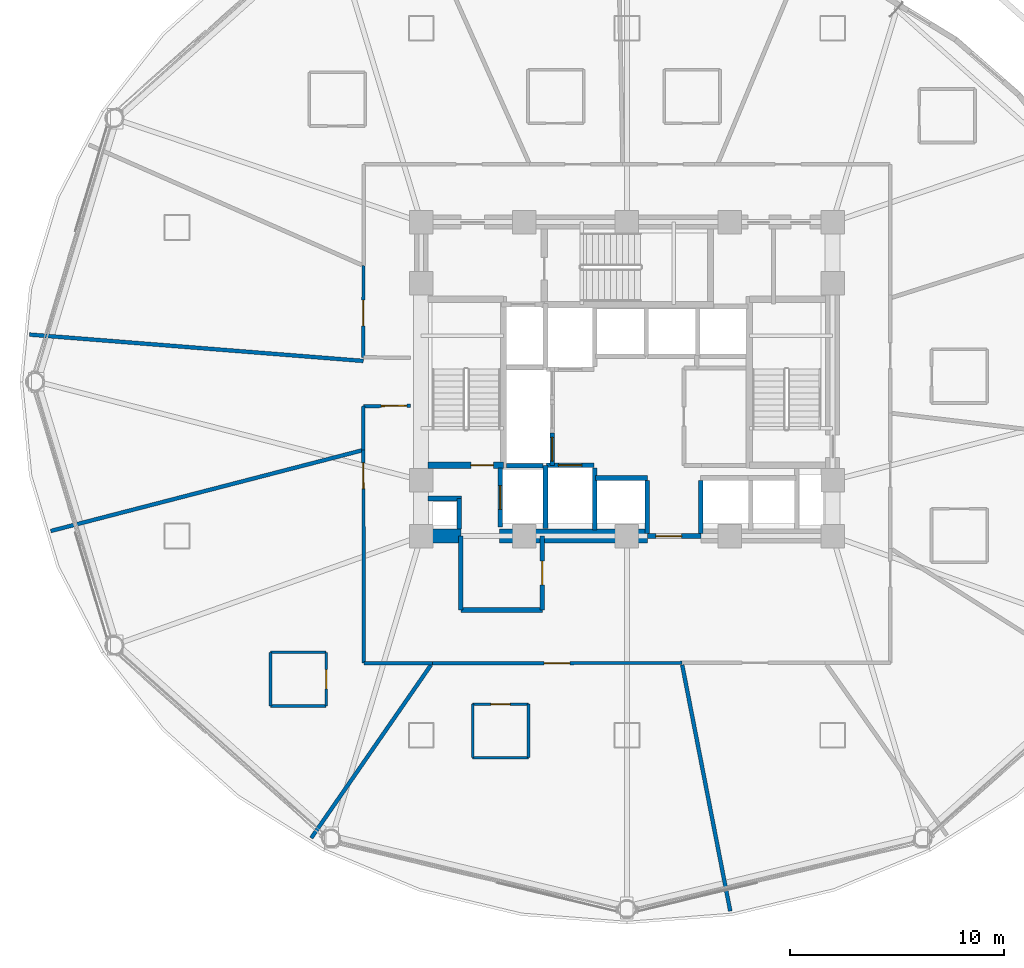
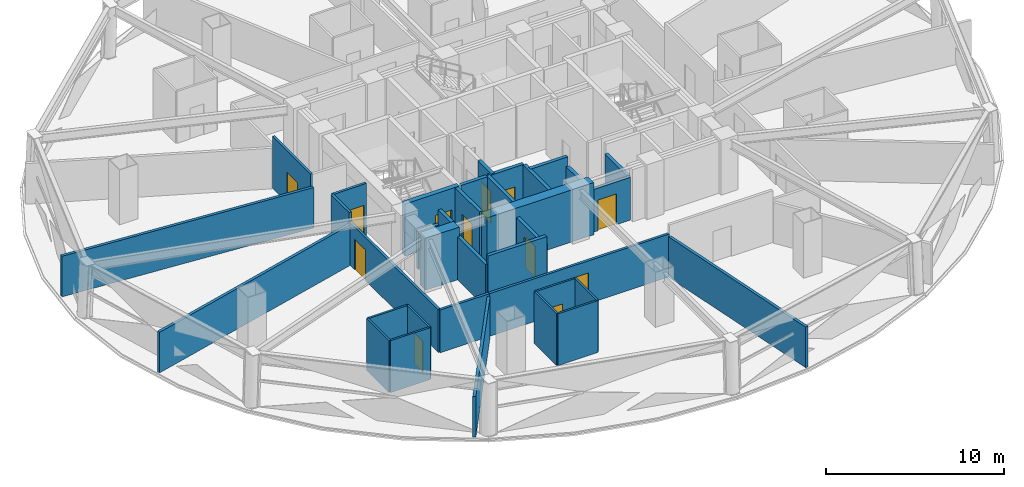
# One storey, part 8 of 16: 36 walls, 12 doors, 12 openings.
"""IFC4 building model written with IfcOpenShell, lengths in metres."""

from ifc_helpers import new_model, si_unit, direction, frame, frame_2d, origin, place, context, subcontext, project, spatial, rectangle, extrude, material, layer, layer_set, type_object, element, fill, save


model = new_model("IFC4")

# Units and contexts
model_context = context("Model", 3, precision=1e-05, world=origin(), true_north=direction((0.0, 1.0)))
body_context = subcontext(model_context, "Body", "Model", "MODEL_VIEW")
ifc_project = project(units=[si_unit("LENGTHUNIT", "METRE"), si_unit("AREAUNIT", "SQUARE_METRE"), si_unit("VOLUMEUNIT", "CUBIC_METRE"), si_unit("PLANEANGLEUNIT", "RADIAN"), si_unit("MASSUNIT", "GRAM", prefix="KILO")], contexts=[model_context])

# Site, building, storey
site_placement = place(None, origin())
site = spatial("IfcSite", under=ifc_project, at=site_placement, CompositionType="ELEMENT")
building_placement = place(site_placement, origin())
building = spatial("IfcBuilding", under=site, at=building_placement, Name="Vantalir Tower", CompositionType="ELEMENT")
storey_placement = place(building_placement, frame((0.0, 0.0, 75.75)))
storey = spatial("IfcBuildingStorey", under=building, at=storey_placement, Name="L18", CompositionType="ELEMENT", Elevation=75.75)

# Walls
ifc_material_1 = material(Name="Moisture-resistant en-suite partition", Category="gypsum")
ifc_layer_1 = layer(ifc_material_1, 0.125)
ifc_layer_set_1 = layer_set([ifc_layer_1], Name="Moisture-resistant en-suite partition")
wall_type_1 = type_object("IfcWallType", Name="WL-BATH-125", PredefinedType="PARTITIONING", material=ifc_layer_set_1)
for number, where, z_axis, x_axis, name in (
    (1, (14.865966796875, 9.87109375, 0.0), (0.0, 0.0, 1.0), (1.0, 0.0, 0.0), "L18 En-suite 07 South Wall"),
    (2, (14.865966796875, 12.37109375, 0.0), (0.0, 0.0, 1.0), (1.0, 0.0, 0.0), "L18 En-suite 07 North Wall"),
):
    element("IfcWall", number, at=place(storey_placement, frame(where, z_axis=z_axis, x_axis=x_axis)), inside=storey, type_object=wall_type_1, Name=name, PredefinedType="PARTITIONING", context=body_context, shape_type="SweptSolid", body=[
        extrude(rectangle(XDim=2.60009765625, YDim=0.125, at=frame_2d((1.300048828125, 0.0))), origin(), (0.0, 0.0, 1.0), 3.550048828125),
    ])
wall_1_placement = place(storey_placement, frame((14.865966796875, 9.87109375, 0.0), z_axis=(0.0, 0.0, 1.0), x_axis=(0.0, 1.0, 0.0)))
element("IfcWall", 3, at=wall_1_placement, inside=storey, type_object=wall_type_1, Name="L18 En-suite 07 West Wall", PredefinedType="PARTITIONING", context=body_context, shape_type="SweptSolid", body=[
    extrude(rectangle(XDim=2.5, YDim=0.125, at=frame_2d((1.25, 0.0))), origin(), (0.0, 0.0, 1.0), 3.550048828125),
])

# Wall, opening, door
wall_2_placement = place(storey_placement, frame((17.466064453125, 9.87109375, 0.0), z_axis=(0.0, 0.0, 1.0), x_axis=(0.0, 1.0, 0.0)))
wall_2 = element("IfcWall", 4, at=wall_2_placement, inside=storey, type_object=wall_type_1, Name="L18 En-suite 07 East Wall", PredefinedType="PARTITIONING", context=body_context, shape_type="SweptSolid", body=[
    extrude(rectangle(XDim=2.5, YDim=0.125, at=frame_2d((1.25, 0.0))), origin(), (0.0, 0.0, 1.0), 3.550048828125),
])
opening_1_placement = place(wall_2_placement, frame((0.800048828125, 0.0, 0.0)))
opening_1 = element("IfcOpeningElement", 5, at=opening_1_placement, cuts=wall_2, Name="Opening D-WC", PredefinedType="OPENING", context=body_context, shape_type="SweptSolid", body=[
    extrude(rectangle(XDim=0.89990234375, YDim=2.10009765625, at=frame_2d((0.449951171875, 1.050048828125))), frame((0.0, 0.072509765625, 0.0), z_axis=(0.0, -1.0, 0.0), x_axis=(1.0, 0.0, 0.0)), (0.0, 0.0, 1.0), 0.14501953125),
])
ifc_material_2 = material(Name="Moisture-resistant hardwood door", Category="wood")
door_type_1 = type_object("IfcDoorType", Name="DR-ENSUITE-900", OperationType="NOTDEFINED", PredefinedType="DOOR", material=ifc_material_2)
door_1_placement = place(opening_1_placement, origin())
door_1 = element("IfcDoor", 6, at=door_1_placement, inside=storey, type_object=door_type_1, Name="L18 En-suite 07 Door", OperationType="SINGLE_SWING_RIGHT", OverallHeight=2.10009765625, OverallWidth=0.89990234375, PredefinedType="DOOR", context=body_context, shape_type="SweptSolid", body=[
    extrude(rectangle(XDim=0.89990234375, YDim=2.10009765625, at=frame_2d((0.449951171875, 1.050048828125))), frame((0.0, 0.02490234375, 0.0), z_axis=(0.0, -1.0, 0.0), x_axis=(1.0, 0.0, 0.0)), (0.0, 0.0, 1.0), 0.050048828125),
])
fill(opening_1, door_1)

# Wall
wall_3_placement = place(storey_placement, frame((24.302978515625, 7.45703125, 0.0), z_axis=(0.0, 0.0, 1.0), x_axis=(1.0, 0.0, 0.0)))
element("IfcWall", 7, at=wall_3_placement, inside=storey, type_object=wall_type_1, Name="L18 En-suite 08 South Wall", PredefinedType="PARTITIONING", context=body_context, shape_type="SweptSolid", body=[
    extrude(rectangle(XDim=2.60009765625, YDim=0.125, at=frame_2d((1.300048828125, 0.0))), origin(), (0.0, 0.0, 1.0), 3.550048828125),
])

# Wall, opening, door
wall_4_placement = place(storey_placement, frame((24.302978515625, 9.95703125, 0.0), z_axis=(0.0, 0.0, 1.0), x_axis=(1.0, 0.0, 0.0)))
wall_4 = element("IfcWall", 8, at=wall_4_placement, inside=storey, type_object=wall_type_1, Name="L18 En-suite 08 North Wall", PredefinedType="PARTITIONING", context=body_context, shape_type="SweptSolid", body=[
    extrude(rectangle(XDim=2.60009765625, YDim=0.125, at=frame_2d((1.300048828125, 0.0))), origin(), (0.0, 0.0, 1.0), 3.550048828125),
])
opening_2_placement = place(wall_4_placement, frame((0.85009765625, 0.0, 0.0)))
opening_2 = element("IfcOpeningElement", 9, at=opening_2_placement, cuts=wall_4, Name="Opening D-WC", PredefinedType="OPENING", context=body_context, shape_type="SweptSolid", body=[
    extrude(rectangle(XDim=0.89990234375, YDim=2.10009765625, at=frame_2d((0.449951171875, 1.050048828125))), frame((0.0, 0.072509765625, 0.0), z_axis=(0.0, -1.0, 0.0), x_axis=(1.0, 0.0, 0.0)), (0.0, 0.0, 1.0), 0.14501953125),
])
door_2_placement = place(opening_2_placement, frame((0.89990234375, 0.0, 0.0), z_axis=(0.0, 0.0, 1.0), x_axis=(-1.0, 0.0, 0.0)))
door_2 = element("IfcDoor", 10, at=door_2_placement, inside=storey, type_object=door_type_1, Name="L18 En-suite 08 Door", OperationType="SINGLE_SWING_LEFT", OverallHeight=2.10009765625, OverallWidth=0.89990234375, PredefinedType="DOOR", context=body_context, shape_type="SweptSolid", body=[
    extrude(rectangle(XDim=0.89990234375, YDim=2.10009765625, at=frame_2d((0.449951171875, 1.050048828125))), frame((0.0, 0.02490234375, 0.0), z_axis=(0.0, -1.0, 0.0), x_axis=(1.0, 0.0, 0.0)), (0.0, 0.0, 1.0), 0.050048828125),
])
fill(opening_2, door_2)

# Walls
for number, where, z_axis, x_axis, name in (
    (11, (24.302978515625, 7.45703125, 0.0), (0.0, 0.0, 1.0), (0.0, 1.0, 0.0), "L18 En-suite 08 West Wall"),
    (12, (26.903076171875, 7.45703125, 0.0), (0.0, 0.0, 1.0), (0.0, 1.0, 0.0), "L18 En-suite 08 East Wall"),
):
    element("IfcWall", number, at=place(storey_placement, frame(where, z_axis=z_axis, x_axis=x_axis)), inside=storey, type_object=wall_type_1, Name=name, PredefinedType="PARTITIONING", context=body_context, shape_type="SweptSolid", body=[
        extrude(rectangle(XDim=2.5, YDim=0.125, at=frame_2d((1.25, 0.0))), origin(), (0.0, 0.0, 1.0), 3.550048828125),
    ])
ifc_material_3 = material(Name="Concrete C60/75", Category="concrete")
ifc_layer_2 = layer(ifc_material_3, 0.64990234375)
ifc_layer_set_2 = layer_set([ifc_layer_2], Name="Concrete C60/75")
wall_type_2 = type_object("IfcWallType", Name="WL-CORE-650", PredefinedType="SHEAR", material=ifc_layer_set_2)
wall_5_placement = place(storey_placement, frame((21.574951171875, 17.800048828125, 0.0), z_axis=(0.0, 0.0, 1.0), x_axis=(1.0, 0.0, 0.0)))
element("IfcWall", 13, at=wall_5_placement, inside=storey, type_object=wall_type_2, Name="L18 Core Shear Wall South-West", PredefinedType="SHEAR", context=body_context, shape_type="SweptSolid", body=[
    extrude(rectangle(XDim=2.175048828125, YDim=0.64990234375, at=frame_2d((1.08740234375, 0.0))), origin(), (0.0, 0.0, 1.0), 3.570068359375),
])
wall_6_placement = place(storey_placement, frame((25.550048828125, 17.800048828125, 0.0), z_axis=(0.0, 0.0, 1.0), x_axis=(1.0, 0.0, 0.0)))
element("IfcWall", 14, at=wall_6_placement, inside=storey, type_object=wall_type_2, Name="L18 Core Shear Wall South-Mid", PredefinedType="SHEAR", context=body_context, shape_type="SweptSolid", body=[
    extrude(rectangle(XDim=6.89990234375, YDim=0.64990234375, at=frame_2d((3.449951171875, 0.0))), origin(), (0.0, 0.0, 1.0), 3.570068359375),
])

# Wall, opening, door
ifc_material_4 = material(Name="Fire-rated hotel corridor acoustic partition", Category="gypsum")
ifc_layer_3 = layer(ifc_material_4, 0.159912109375)
ifc_layer_set_3 = layer_set([ifc_layer_3], Name="Fire-rated hotel corridor acoustic partition")
wall_type_3 = type_object("IfcWallType", Name="WL-CORR-160", PredefinedType="PARTITIONING", material=ifc_layer_set_3)
wall_7_placement = place(storey_placement, frame((19.197998046875, 26.14208984375, 0.0), z_axis=(0.0, 0.0, 1.0), x_axis=(0.002342582991, 0.999997256149, 0.0)))
wall_7 = element("IfcWall", 15, at=wall_7_placement, inside=storey, type_object=wall_type_3, Name="L18 Corridor Partition 02", PredefinedType="PARTITIONING", context=body_context, shape_type="SweptSolid", body=[
    extrude(rectangle(XDim=4.27294921875, YDim=0.159912109375, at=frame_2d((2.136474609375, 0.0))), origin(), (0.0, 0.0, 1.0), 3.550048828125),
])
opening_3_placement = place(wall_7_placement, frame((1.464111328125, 0.0, 0.0)))
opening_3 = element("IfcOpeningElement", 16, at=opening_3_placement, cuts=wall_7, Name="Opening D-STE", PredefinedType="OPENING", context=body_context, shape_type="SweptSolid", body=[
    extrude(rectangle(XDim=1.199951171875, YDim=2.10009765625, at=frame_2d((0.60009765625, 1.050048828125))), frame((0.0, 0.08984375, 0.0), z_axis=(0.0, -1.0, 0.0), x_axis=(1.0, 0.0, 0.0)), (0.0, 0.0, 1.0), 0.179931640625),
])
ifc_material_5 = material(Name="Solid-core teak veneer suite entrance door", Category="wood")
door_type_2 = type_object("IfcDoorType", Name="DR-SUITE-ENTRY-1200", OperationType="NOTDEFINED", PredefinedType="DOOR", material=ifc_material_5)
door_3_placement = place(opening_3_placement, origin())
door_3 = element("IfcDoor", 17, at=door_3_placement, inside=storey, type_object=door_type_2, Name="L18 Executive Sky Boardroom 05 Door", OperationType="SINGLE_SWING_LEFT", OverallHeight=2.10009765625, OverallWidth=1.199951171875, PredefinedType="DOOR", context=body_context, shape_type="SweptSolid", body=[
    extrude(rectangle(XDim=1.199951171875, YDim=2.10009765625, at=frame_2d((0.60009765625, 1.050048828125))), frame((0.0, 0.02490234375, 0.0), z_axis=(0.0, -1.0, 0.0), x_axis=(1.0, 0.0, 0.0)), (0.0, 0.0, 1.0), 0.050048828125),
])
fill(opening_3, door_3)

wall_8_placement = place(storey_placement, frame((34.06201171875, 11.876953125, 0.0), z_axis=(0.0, 0.0, 1.0), x_axis=(-0.99999976071, -0.000691794728, 0.0)))
wall_8 = element("IfcWall", 18, at=wall_8_placement, inside=storey, type_object=wall_type_3, Name="L18 Corridor Partition 14", PredefinedType="PARTITIONING", context=body_context, shape_type="SweptSolid", body=[
    extrude(rectangle(XDim=11.64599609375, YDim=0.159912109375, at=frame_2d((5.822998046875, 0.0))), origin(), (0.0, 0.0, 1.0), 2.927978515625),
])
opening_4_placement = place(wall_8_placement, frame((5.222900390625, 0.0, 0.0)))
opening_4 = element("IfcOpeningElement", 19, at=opening_4_placement, cuts=wall_8, Name="Opening D-STE", PredefinedType="OPENING", context=body_context, shape_type="SweptSolid", body=[
    extrude(rectangle(XDim=1.199951171875, YDim=2.10009765625, at=frame_2d((0.60009765625, 1.050048828125))), frame((0.0, 0.08984375, 0.0), z_axis=(0.0, -1.0, 0.0), x_axis=(1.0, 0.0, 0.0)), (0.0, 0.0, 1.0), 0.179931640625),
])
door_4_placement = place(opening_4_placement, origin())
door_4 = element("IfcDoor", 20, at=door_4_placement, inside=storey, type_object=door_type_2, Name="L18 Corner Panorama Hotel Suite 08 Door", OperationType="SINGLE_SWING_RIGHT", OverallHeight=2.10009765625, OverallWidth=1.199951171875, PredefinedType="DOOR", context=body_context, shape_type="SweptSolid", body=[
    extrude(rectangle(XDim=1.199951171875, YDim=2.10009765625, at=frame_2d((0.60009765625, 1.050048828125))), frame((0.0, 0.02490234375, 0.0), z_axis=(0.0, -1.0, 0.0), x_axis=(1.0, 0.0, 0.0)), (0.0, 0.0, 1.0), 0.050048828125),
])
fill(opening_4, door_4)

# Wall
wall_9_placement = place(storey_placement, frame((22.416015625, 11.868896484375, 0.0), z_axis=(0.0, 0.0, 1.0), x_axis=(-0.999999813388, -0.000610920085, 0.0)))
element("IfcWall", 21, at=wall_9_placement, inside=storey, type_object=wall_type_3, Name="L18 Corridor Partition 15", PredefinedType="PARTITIONING", context=body_context, shape_type="SweptSolid", body=[
    extrude(rectangle(XDim=3.197021484375, YDim=0.159912109375, at=frame_2d((1.5986328125, 0.0))), origin(), (0.0, 0.0, 1.0), 2.927978515625),
])

# Wall, opening, door
wall_10_placement = place(storey_placement, frame((19.218994140625, 11.866943359375, 0.0), z_axis=(0.0, 0.0, 1.0), x_axis=(-0.001717915349, 0.999998524382, 0.0)))
wall_10 = element("IfcWall", 22, at=wall_10_placement, inside=storey, type_object=wall_type_3, Name="L18 Corridor Partition 16", PredefinedType="PARTITIONING", context=body_context, shape_type="SweptSolid", body=[
    extrude(rectangle(XDim=9.947998046875, YDim=0.159912109375, at=frame_2d((4.97412109375, 0.0))), origin(), (0.0, 0.0, 1.0), 2.927978515625),
])
opening_5_placement = place(wall_10_placement, frame((8.14404296875, 0.0, 0.0)))
opening_5 = element("IfcOpeningElement", 23, at=opening_5_placement, cuts=wall_10, Name="Opening D-STE", PredefinedType="OPENING", context=body_context, shape_type="SweptSolid", body=[
    extrude(rectangle(XDim=1.199951171875, YDim=2.10009765625, at=frame_2d((0.60009765625, 1.050048828125))), frame((0.0, 0.08984375, 0.0), z_axis=(0.0, -1.0, 0.0), x_axis=(1.0, 0.0, 0.0)), (0.0, 0.0, 1.0), 0.179931640625),
])
door_5_placement = place(opening_5_placement, origin())
door_5 = element("IfcDoor", 24, at=door_5_placement, inside=storey, type_object=door_type_2, Name="L18 Executive Club Hotel Suite 07 Door", OperationType="SINGLE_SWING_LEFT", OverallHeight=2.10009765625, OverallWidth=1.199951171875, PredefinedType="DOOR", context=body_context, shape_type="SweptSolid", body=[
    extrude(rectangle(XDim=1.199951171875, YDim=2.10009765625, at=frame_2d((0.60009765625, 1.050048828125))), frame((0.0, 0.02490234375, 0.0), z_axis=(0.0, -1.0, 0.0), x_axis=(1.0, 0.0, 0.0)), (0.0, 0.0, 1.0), 0.050048828125),
])
fill(opening_5, door_5)

# Wall
wall_11_placement = place(storey_placement, frame((19.201904296875, 21.81494140625, 0.0), z_axis=(0.0, 0.0, 1.0), x_axis=(-0.001912042394, 0.999998172045, 0.0)))
element("IfcWall", 25, at=wall_11_placement, inside=storey, type_object=wall_type_3, Name="L18 Corridor Partition 17", PredefinedType="PARTITIONING", context=body_context, shape_type="SweptSolid", body=[
    extrude(rectangle(XDim=2.04296875, YDim=0.159912109375, at=frame_2d((1.021484375, 0.0))), origin(), (0.0, 0.0, 1.0), 3.550048828125),
])

# Wall, opening, door
wall_12_placement = place(storey_placement, frame((19.197998046875, 23.85791015625, 0.0), z_axis=(0.0, 0.0, 1.0), x_axis=(0.999912578456, 0.013222535486, 0.0)))
wall_12 = element("IfcWall", 26, at=wall_12_placement, inside=storey, type_object=wall_type_3, Name="L18 Corridor Partition 18", PredefinedType="PARTITIONING", context=body_context, shape_type="SweptSolid", body=[
    extrude(rectangle(XDim=2.197265625, YDim=0.159912109375, at=frame_2d((1.0986328125, 0.0))), origin(), (0.0, 0.0, 1.0), 3.550048828125),
])
opening_6_placement = place(wall_12_placement, frame((0.8369140625, 0.0, 0.0)))
opening_6 = element("IfcOpeningElement", 27, at=opening_6_placement, cuts=wall_12, Name="Opening D-STE", PredefinedType="OPENING", context=body_context, shape_type="SweptSolid", body=[
    extrude(rectangle(XDim=1.199951171875, YDim=2.10009765625, at=frame_2d((0.60009765625, 1.050048828125))), frame((0.0, 0.08984375, 0.0), z_axis=(0.0, -1.0, 0.0), x_axis=(1.0, 0.0, 0.0)), (0.0, 0.0, 1.0), 0.179931640625),
])
door_6_placement = place(opening_6_placement, origin())
door_6 = element("IfcDoor", 28, at=door_6_placement, inside=storey, type_object=door_type_2, Name="L18 Executive Sky Boardroom 06 Door", OperationType="SINGLE_SWING_RIGHT", OverallHeight=2.10009765625, OverallWidth=1.199951171875, PredefinedType="DOOR", context=body_context, shape_type="SweptSolid", body=[
    extrude(rectangle(XDim=1.199951171875, YDim=2.10009765625, at=frame_2d((0.60009765625, 1.050048828125))), frame((0.0, 0.02490234375, 0.0), z_axis=(0.0, -1.0, 0.0), x_axis=(1.0, 0.0, 0.0)), (0.0, 0.0, 1.0), 0.050048828125),
])
fill(opening_6, door_6)

# Walls
ifc_material_6 = material(Name="Concrete blockwork with fireboard lining", Category="masonry")
ifc_layer_4 = layer(ifc_material_6, 0.219970703125)
ifc_layer_set_4 = layer_set([ifc_layer_4], Name="Concrete blockwork with fireboard lining")
wall_type_4 = type_object("IfcWallType", Name="WL-FFL-220", PredefinedType="PARTITIONING", material=ifc_layer_set_4)
wall_13_placement = place(storey_placement, frame((30.0, 18.080078125, 0.0), z_axis=(0.0, 0.0, 1.0), x_axis=(0.0, 1.0, 0.0)))
element("IfcWall", 29, at=wall_13_placement, inside=storey, type_object=wall_type_4, Name="L18 Service Lift SV1 East Shaft Wall", PredefinedType="PARTITIONING", context=body_context, shape_type="SweptSolid", body=[
    extrude(rectangle(XDim=2.89990234375, YDim=0.219970703125, at=frame_2d((1.449951171875, 0.0))), origin(), (0.0, 0.0, 1.0), 3.544921875),
])
for number, where, z_axis, x_axis, name in (
    (30, (32.449951171875, 17.919921875, 0.0), (0.0, 0.0, 1.0), (0.0, 1.0, 0.0), "L18 Shuttle Lift PL-X1 East Shaft Cheek"),
    (31, (34.949951171875, 17.919921875, 0.0), (0.0, 0.0, 1.0), (0.0, 1.0, 0.0), "L18 Shuttle Lift PL-X3 West Shaft Cheek"),
):
    element("IfcWall", number, at=place(storey_placement, frame(where, z_axis=z_axis, x_axis=x_axis)), inside=storey, type_object=wall_type_4, Name=name, PredefinedType="PARTITIONING", context=body_context, shape_type="SweptSolid", body=[
        extrude(rectangle(XDim=2.469970703125, YDim=0.219970703125, at=frame_2d((1.23486328125, 0.0))), origin(), (0.0, 0.0, 1.0), 2.927978515625),
    ])

# Wall, opening, door
wall_14_placement = place(storey_placement, frame((32.449951171875, 17.800048828125, 0.0), z_axis=(0.0, 0.0, 1.0), x_axis=(1.0, 0.0, 0.0)))
wall_14 = element("IfcWall", 32, at=wall_14_placement, inside=storey, type_object=wall_type_4, Name="L18 Passenger Lift Lobby South Wall", PredefinedType="PARTITIONING", context=body_context, shape_type="SweptSolid", body=[
    extrude(rectangle(XDim=2.5, YDim=0.219970703125, at=frame_2d((1.25, 0.0))), origin(), (0.0, 0.0, 1.0), 2.927978515625),
])
opening_7_placement = place(wall_14_placement, frame((0.39990234375, 0.0, 0.0)))
opening_7 = element("IfcOpeningElement", 33, at=opening_7_placement, cuts=wall_14, Name="Opening D-STE", PredefinedType="OPENING", context=body_context, shape_type="SweptSolid", body=[
    extrude(rectangle(XDim=1.199951171875, YDim=2.10009765625, at=frame_2d((0.60009765625, 1.050048828125))), frame((0.0, 0.119873046875, 0.0), z_axis=(0.0, -1.0, 0.0), x_axis=(1.0, 0.0, 0.0)), (0.0, 0.0, 1.0), 0.239990234375),
])
door_7_placement = place(opening_7_placement, origin())
door_7 = element("IfcDoor", 34, at=door_7_placement, inside=storey, type_object=door_type_2, Name="L18 Passenger Lift Lobby Concourse Door", OperationType="SINGLE_SWING_LEFT", OverallHeight=2.10009765625, OverallWidth=1.199951171875, PredefinedType="DOOR", context=body_context, shape_type="SweptSolid", body=[
    extrude(rectangle(XDim=1.199951171875, YDim=2.10009765625, at=frame_2d((0.60009765625, 1.050048828125))), frame((0.0, 0.02490234375, 0.0), z_axis=(0.0, -1.0, 0.0), x_axis=(1.0, 0.0, 0.0)), (0.0, 0.0, 1.0), 0.050048828125),
])
fill(opening_7, door_7)

# Walls
wall_15_placement = place(storey_placement, frame((23.679931640625, 18.125, 0.0), z_axis=(0.0, 0.0, 1.0), x_axis=(0.0, 1.0, 0.0)))
element("IfcWall", 35, at=wall_15_placement, inside=storey, type_object=wall_type_4, Name="L18 West MEP Riser Wall E", PredefinedType="PARTITIONING", context=body_context, shape_type="SweptSolid", body=[
    extrude(rectangle(XDim=1.425048828125, YDim=0.219970703125, at=frame_2d((0.71240234375, 0.0))), origin(), (0.0, 0.0, 1.0), 3.550048828125),
])
wall_16_placement = place(storey_placement, frame((22.22509765625, 19.550048828125, 0.0), z_axis=(0.0, 0.0, 1.0), x_axis=(1.0, 0.0, 0.0)))
element("IfcWall", 36, at=wall_16_placement, inside=storey, type_object=wall_type_4, Name="L18 West MEP Riser Wall N", PredefinedType="PARTITIONING", context=body_context, shape_type="SweptSolid", body=[
    extrude(rectangle(XDim=1.56494140625, YDim=0.219970703125, at=frame_2d((0.782470703125, 0.0))), origin(), (0.0, 0.0, 1.0), 2.594970703125),
])

# Wall, opening, door
wall_17_placement = place(storey_placement, frame((25.590087890625, 18.219970703125, 0.0), z_axis=(0.0, 0.0, 1.0), x_axis=(0.0, 1.0, 0.0)))
wall_17 = element("IfcWall", 37, at=wall_17_placement, inside=storey, type_object=wall_type_4, Name="L18 Lift FL1 Shaft Front Wall", PredefinedType="PARTITIONING", context=body_context, shape_type="SweptSolid", body=[
    extrude(rectangle(XDim=2.760009765625, YDim=0.219970703125, at=frame_2d((1.3798828125, 0.0))), origin(), (0.0, 0.0, 1.0), 3.550048828125),
])
opening_8_placement = place(wall_17_placement, frame((0.830078125, 0.0, 0.0)))
opening_8 = element("IfcOpeningElement", 38, at=opening_8_placement, cuts=wall_17, Name="Opening LD-FL1", PredefinedType="OPENING", context=body_context, shape_type="SweptSolid", body=[
    extrude(rectangle(XDim=1.10009765625, YDim=2.199951171875, at=frame_2d((0.550048828125, 1.10009765625))), frame((0.0, 0.119873046875, 0.0), z_axis=(0.0, -1.0, 0.0), x_axis=(1.0, 0.0, 0.0)), (0.0, 0.0, 1.0), 0.239990234375),
])
ifc_material_7 = material(Name="Brushed stainless-steel sliding lift landing door", Category="steel")
door_type_3 = type_object("IfcDoorType", Name="DR-LIFT-LANDING-1100", OperationType="DOUBLE_DOOR_SLIDING", PredefinedType="DOOR", material=ifc_material_7)
door_8_placement = place(opening_8_placement, origin())
door_8 = element("IfcDoor", 39, at=door_8_placement, inside=storey, type_object=door_type_3, Name="L18 Lift Landing Door FL1", OperationType="DOUBLE_DOOR_SLIDING", OverallHeight=2.199951171875, OverallWidth=1.10009765625, PredefinedType="DOOR", context=body_context, shape_type="SweptSolid", body=[
    extrude(rectangle(XDim=1.10009765625, YDim=2.199951171875, at=frame_2d((0.550048828125, 1.10009765625))), frame((0.0, 0.02490234375, 0.0), z_axis=(0.0, -1.0, 0.0), x_axis=(1.0, 0.0, 0.0)), (0.0, 0.0, 1.0), 0.050048828125),
])
fill(opening_8, door_8)

wall_18_placement = place(storey_placement, frame((27.739990234375, 21.110107421875, 0.0), z_axis=(0.0, 0.0, 1.0), x_axis=(1.0, 0.0, 0.0)))
wall_18 = element("IfcWall", 40, at=wall_18_placement, inside=storey, type_object=wall_type_4, Name="L18 Lift SV1 Shaft Front Wall", PredefinedType="PARTITIONING", context=body_context, shape_type="SweptSolid", body=[
    extrude(rectangle(XDim=2.219970703125, YDim=0.219970703125, at=frame_2d((1.10986328125, 0.0))), origin(), (0.0, 0.0, 1.0), 3.550048828125),
])
opening_9_placement = place(wall_18_placement, frame((0.56005859375, 0.0, 0.0)))
opening_9 = element("IfcOpeningElement", 41, at=opening_9_placement, cuts=wall_18, Name="Opening LD-SV1", PredefinedType="OPENING", context=body_context, shape_type="SweptSolid", body=[
    extrude(rectangle(XDim=1.10009765625, YDim=2.199951171875, at=frame_2d((0.550048828125, 1.10009765625))), frame((0.0, 0.119873046875, 0.0), z_axis=(0.0, -1.0, 0.0), x_axis=(1.0, 0.0, 0.0)), (0.0, 0.0, 1.0), 0.239990234375),
])
door_9_placement = place(opening_9_placement, origin())
door_9 = element("IfcDoor", 42, at=door_9_placement, inside=storey, type_object=door_type_3, Name="L18 Lift Landing Door SV1", OperationType="DOUBLE_DOOR_SLIDING", OverallHeight=2.199951171875, OverallWidth=1.10009765625, PredefinedType="DOOR", context=body_context, shape_type="SweptSolid", body=[
    extrude(rectangle(XDim=1.10009765625, YDim=2.199951171875, at=frame_2d((0.550048828125, 1.10009765625))), frame((0.0, 0.02490234375, 0.0), z_axis=(0.0, -1.0, 0.0), x_axis=(1.0, 0.0, 0.0)), (0.0, 0.0, 1.0), 0.050048828125),
])
fill(opening_9, door_9)

# Wall
wall_19_placement = place(storey_placement, frame((30.0400390625, 20.510009765625, 0.0), z_axis=(0.0, 0.0, 1.0), x_axis=(1.0, 0.0, 0.0)))
element("IfcWall", 43, at=wall_19_placement, inside=storey, type_object=wall_type_4, Name="L18 Lift PL-X1 Shaft Front Wall", PredefinedType="PARTITIONING", context=body_context, shape_type="SweptSolid", body=[
    extrude(rectangle(XDim=2.419921875, YDim=0.219970703125, at=frame_2d((1.2099609375, 0.0))), origin(), (0.0, 0.0, 1.0), 3.550048828125),
])

# Wall, opening, door
wall_20_placement = place(storey_placement, frame((28.010009765625, 21.10009765625, 0.0), z_axis=(0.0, 0.0, 1.0), x_axis=(0.0, 1.0, 0.0)))
wall_20 = element("IfcWall", 44, at=wall_20_placement, inside=storey, type_object=wall_type_4, Name="L18 Lift PL-L1 Shaft Front Wall", PredefinedType="PARTITIONING", context=body_context, shape_type="SweptSolid", body=[
    extrude(rectangle(XDim=1.5, YDim=0.219970703125, at=frame_2d((0.75, 0.0))), origin(), (0.0, 0.0, 1.0), 3.550048828125),
])
opening_10_placement = place(wall_20_placement, frame((0.199951171875, 0.0, 0.0)))
opening_10 = element("IfcOpeningElement", 45, at=opening_10_placement, cuts=wall_20, Name="Opening LD-PL-L1", PredefinedType="OPENING", context=body_context, shape_type="SweptSolid", body=[
    extrude(rectangle(XDim=1.10009765625, YDim=2.199951171875, at=frame_2d((0.550048828125, 1.10009765625))), frame((0.0, 0.119873046875, 0.0), z_axis=(0.0, -1.0, 0.0), x_axis=(1.0, 0.0, 0.0)), (0.0, 0.0, 1.0), 0.239990234375),
])
door_10_placement = place(opening_10_placement, frame((1.10009765625, 0.0, 0.0), z_axis=(0.0, 0.0, 1.0), x_axis=(-1.0, 0.0, 0.0)))
door_10 = element("IfcDoor", 46, at=door_10_placement, inside=storey, type_object=door_type_3, Name="L18 Lift Landing Door PL-L1", OperationType="DOUBLE_DOOR_SLIDING", OverallHeight=2.199951171875, OverallWidth=1.10009765625, PredefinedType="DOOR", context=body_context, shape_type="SweptSolid", body=[
    extrude(rectangle(XDim=1.10009765625, YDim=2.199951171875, at=frame_2d((0.550048828125, 1.10009765625))), frame((0.0, 0.02490234375, 0.0), z_axis=(0.0, -1.0, 0.0), x_axis=(1.0, 0.0, 0.0)), (0.0, 0.0, 1.0), 0.050048828125),
])
fill(opening_10, door_10)

# Walls
wall_21_placement = place(storey_placement, frame((27.699951171875, 18.14990234375, 0.0), z_axis=(0.0, 0.0, 1.0), x_axis=(0.0, 1.0, 0.0)))
element("IfcWall", 47, at=wall_21_placement, inside=storey, type_object=wall_type_4, Name="L18 Fire Lift FL1 Dividing Wall", PredefinedType="PARTITIONING", context=body_context, shape_type="SweptSolid", body=[
    extrude(rectangle(XDim=2.9501953125, YDim=0.219970703125, at=frame_2d((1.47509765625, 0.0))), origin(), (0.0, 0.0, 1.0), 3.550048828125),
])
wall_22_placement = place(storey_placement, frame((25.8798828125, 21.080078125, 0.0), z_axis=(0.0, 0.0, 1.0), x_axis=(1.0, 0.0, 0.0)))
element("IfcWall", 48, at=wall_22_placement, inside=storey, type_object=wall_type_4, Name="L18 Low-Rise Bank South Wall", PredefinedType="PARTITIONING", context=body_context, shape_type="SweptSolid", body=[
    extrude(rectangle(XDim=1.7001953125, YDim=0.219970703125, at=frame_2d((0.85009765625, 0.0))), origin(), (0.0, 0.0, 1.0), 3.550048828125),
])
wall_23_placement = place(storey_placement, frame((23.75, 14.35009765625, 0.0), z_axis=(0.0, 0.0, 1.0), x_axis=(0.0, 1.0, 0.0)))
element("IfcWall", 49, at=wall_23_placement, inside=storey, type_object=wall_type_4, Name="L18 Firefighting Lobby West Outer W", PredefinedType="PARTITIONING", context=body_context, shape_type="SweptSolid", body=[
    extrude(rectangle(XDim=3.449951171875, YDim=0.219970703125, at=frame_2d((1.72509765625, 0.0))), origin(), (0.0, 0.0, 1.0), 2.927978515625),
])
wall_24_placement = place(storey_placement, frame((23.75, 14.35009765625, 0.0), z_axis=(0.0, 0.0, 1.0), x_axis=(1.0, 0.0, 0.0)))
element("IfcWall", 50, at=wall_24_placement, inside=storey, type_object=wall_type_4, Name="L18 Firefighting Lobby West South Wall", PredefinedType="PARTITIONING", context=body_context, shape_type="SweptSolid", body=[
    extrude(rectangle(XDim=3.800048828125, YDim=0.219970703125, at=frame_2d((1.89990234375, 0.0))), origin(), (0.0, 0.0, 1.0), 3.550048828125),
])

# Wall, opening, door
wall_25_placement = place(storey_placement, frame((27.550048828125, 14.35009765625, 0.0), z_axis=(0.0, 0.0, 1.0), x_axis=(0.0, 1.0, 0.0)))
wall_25 = element("IfcWall", 51, at=wall_25_placement, inside=storey, type_object=wall_type_4, Name="L18 Firefighting Lobby West East Wall", PredefinedType="PARTITIONING", context=body_context, shape_type="SweptSolid", body=[
    extrude(rectangle(XDim=3.449951171875, YDim=0.219970703125, at=frame_2d((1.72509765625, 0.0))), origin(), (0.0, 0.0, 1.0), 2.927978515625),
])
opening_11_placement = place(wall_25_placement, frame((1.175048828125, 0.0, 0.0)))
opening_11 = element("IfcOpeningElement", 52, at=opening_11_placement, cuts=wall_25, Name="Opening D-FFL", PredefinedType="OPENING", context=body_context, shape_type="SweptSolid", body=[
    extrude(rectangle(XDim=1.10009765625, YDim=2.10009765625, at=frame_2d((0.550048828125, 1.050048828125))), frame((0.0, 0.119873046875, 0.0), z_axis=(0.0, -1.0, 0.0), x_axis=(1.0, 0.0, 0.0)), (0.0, 0.0, 1.0), 0.239990234375),
])
ifc_material_8 = material(Name="Fire-rated acoustic steel door", Category="steel")
door_type_4 = type_object("IfcDoorType", Name="DR-FIRE-LOBBY-1100", OperationType="NOTDEFINED", PredefinedType="DOOR", material=ifc_material_8)
door_11_placement = place(opening_11_placement, origin())
door_11 = element("IfcDoor", 53, at=door_11_placement, inside=storey, type_object=door_type_4, Name="L18 Firefighting Lobby West Access Door", OperationType="SINGLE_SWING_LEFT", OverallHeight=2.10009765625, OverallWidth=1.10009765625, PredefinedType="DOOR", context=body_context, shape_type="SweptSolid", body=[
    extrude(rectangle(XDim=1.10009765625, YDim=2.10009765625, at=frame_2d((0.550048828125, 1.050048828125))), frame((0.0, 0.02490234375, 0.0), z_axis=(0.0, -1.0, 0.0), x_axis=(1.0, 0.0, 0.0)), (0.0, 0.0, 1.0), 0.050048828125),
])
fill(opening_11, door_11)

# Walls
ifc_material_9 = material(Name="Twin-stud acoustic fire-rated gypsum partition", Category="gypsum")
ifc_layer_5 = layer(ifc_material_9, 0.179931640625)
ifc_layer_set_5 = layer_set([ifc_layer_5], Name="Twin-stud acoustic fire-rated gypsum partition")
wall_type_5 = type_object("IfcWallType", Name="WL-GUEST-180", PredefinedType="PARTITIONING", material=ifc_layer_set_5)
wall_26_placement = place(storey_placement, frame((19.196044921875, 25.971923828125, 0.0), z_axis=(0.0, 0.0, 1.0), x_axis=(-0.996893373325, 0.078762949547, 0.0)))
element("IfcWall", 54, at=wall_26_placement, inside=storey, type_object=wall_type_5, Name="L18 Radial Suite Partition 06", PredefinedType="PARTITIONING", context=body_context, shape_type="SweptSolid", body=[
    extrude(rectangle(XDim=15.628662109375, YDim=0.179931640625, at=frame_2d((7.814453125, 0.0))), origin(), (0.0, 0.0, 1.0), 2.77490234375),
])
wall_27_placement = place(storey_placement, frame((19.123046875, 21.794921875, 0.0), z_axis=(0.0, 0.0, 1.0), x_axis=(-0.968050799349, -0.250754162238, 0.0)))
element("IfcWall", 55, at=wall_27_placement, inside=storey, type_object=wall_type_5, Name="L18 Radial Suite Partition 07", PredefinedType="PARTITIONING", context=body_context, shape_type="SweptSolid", body=[
    extrude(rectangle(XDim=14.990966796875, YDim=0.179931640625, at=frame_2d((7.49560546875, 0.0))), origin(), (0.0, 0.0, 1.0), 2.77490234375),
])
wall_28_placement = place(storey_placement, frame((22.35888671875, 11.7880859375, 0.0), z_axis=(0.0, 0.0, 1.0), x_axis=(-0.568951562239, -0.822371035376, 0.0)))
element("IfcWall", 56, at=wall_28_placement, inside=storey, type_object=wall_type_5, Name="L18 Radial Suite Partition 08", PredefinedType="PARTITIONING", context=body_context, shape_type="SweptSolid", body=[
    extrude(rectangle(XDim=9.826416015625, YDim=0.179931640625, at=frame_2d((4.9130859375, 0.0))), origin(), (0.0, 0.0, 1.0), 2.77490234375),
])
wall_29_placement = place(storey_placement, frame((34.080078125, 11.7880859375, 0.0), z_axis=(0.0, 0.0, 1.0), x_axis=(0.191590227311, -0.981475004674, 0.0)))
element("IfcWall", 57, at=wall_29_placement, inside=storey, type_object=wall_type_5, Name="L18 Radial Suite Partition 09", PredefinedType="PARTITIONING", context=body_context, shape_type="SweptSolid", body=[
    extrude(rectangle(XDim=11.706787109375, YDim=0.179931640625, at=frame_2d((5.853515625, 0.0))), origin(), (0.0, 0.0, 1.0), 2.77490234375),
])

# Wall, opening, door
ifc_material_10 = material(Name="Concrete C50/60", Category="concrete")
ifc_layer_6 = layer(ifc_material_10, 0.300048828125)
ifc_layer_set_6 = layer_set([ifc_layer_6], Name="Concrete C50/60")
wall_type_6 = type_object("IfcWallType", Name="WL-STAIR-300", PredefinedType="SHEAR", material=ifc_layer_set_6)
wall_30_placement = place(storey_placement, frame((22.22509765625, 21.10009765625, 0.0), z_axis=(0.0, 0.0, 1.0), x_axis=(1.0, 0.0, 0.0)))
wall_30 = element("IfcWall", 58, at=wall_30_placement, inside=storey, type_object=wall_type_6, Name="L18 Stair ST1 South Wall", PredefinedType="SHEAR", context=body_context, shape_type="SweptSolid", body=[
    extrude(rectangle(XDim=3.514892578125, YDim=0.300048828125, at=frame_2d((1.75732421875, 0.0))), origin(), (0.0, 0.0, 1.0), 3.570068359375),
])
opening_12_placement = place(wall_30_placement, frame((1.9951171875, 0.0, 0.0)))
opening_12 = element("IfcOpeningElement", 59, at=opening_12_placement, cuts=wall_30, Name="Opening D-ST", PredefinedType="OPENING", context=body_context, shape_type="SweptSolid", body=[
    extrude(rectangle(XDim=1.050048828125, YDim=2.10009765625, at=frame_2d((0.52490234375, 1.050048828125))), frame((0.0, 0.159912109375, 0.0), z_axis=(0.0, -1.0, 0.0), x_axis=(1.0, 0.0, 0.0)), (0.0, 0.0, 1.0), 0.320068359375),
])
ifc_material_11 = material(Name="Fire-rated steel door leaf", Category="steel")
door_type_5 = type_object("IfcDoorType", Name="DR-FIRE-STAIR-1050", OperationType="NOTDEFINED", PredefinedType="DOOR", material=ifc_material_11)
door_12_placement = place(opening_12_placement, origin())
door_12 = element("IfcDoor", 60, at=door_12_placement, inside=storey, type_object=door_type_5, Name="L18 Exit Stair ST1 Fire Door", OperationType="SINGLE_SWING_LEFT", OverallHeight=2.10009765625, OverallWidth=1.050048828125, PredefinedType="DOOR", context=body_context, shape_type="SweptSolid", body=[
    extrude(rectangle(XDim=1.050048828125, YDim=2.10009765625, at=frame_2d((0.52490234375, 1.050048828125))), frame((0.0, 0.02490234375, 0.0), z_axis=(0.0, -1.0, 0.0), x_axis=(1.0, 0.0, 0.0)), (0.0, 0.0, 1.0), 0.050048828125),
])
fill(opening_12, door_12)

save(model, "model.ifc")
